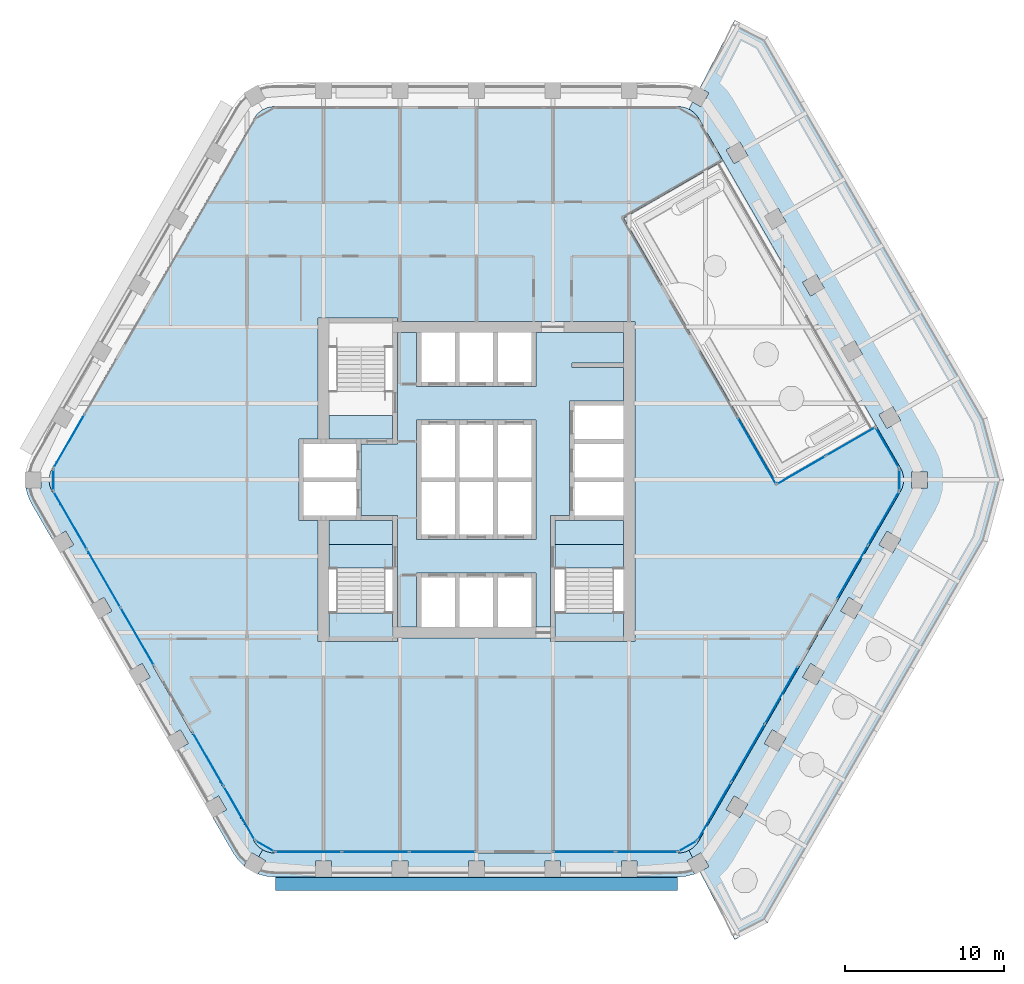
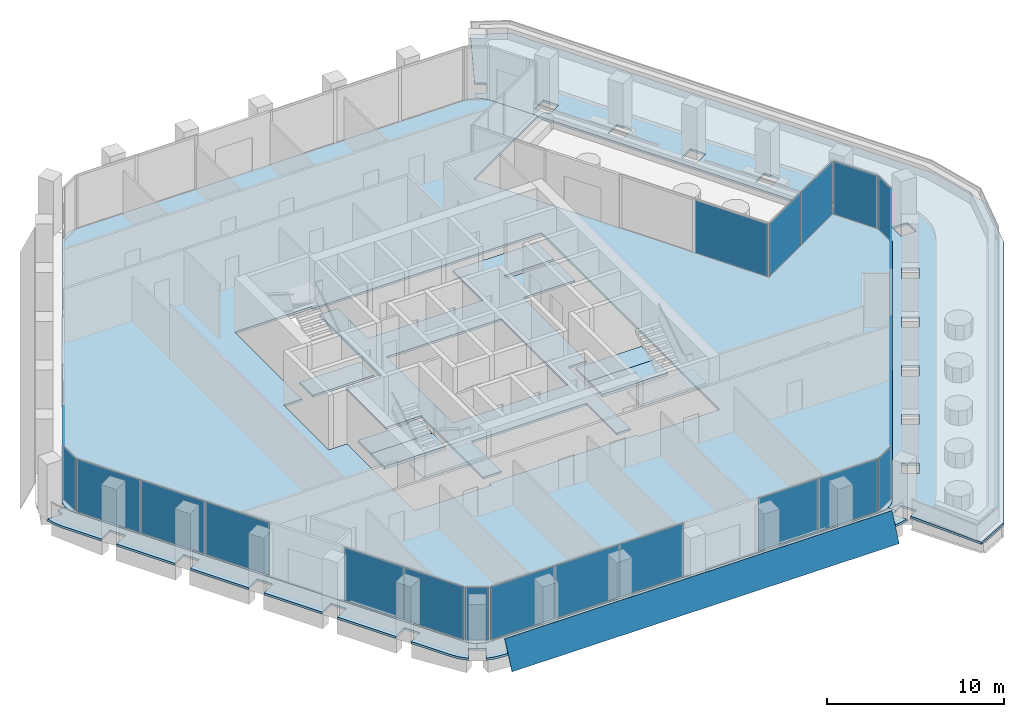
# One storey, part 8 of 17: 25 plates, 12 slabs, 16 elements without a shape of their own.
"""IFC4 building model written with IfcOpenShell, lengths in metres."""

from ifc_helpers import new_model, si_unit, direction, frame, origin, origin_2d, place, context, subcontext, project, spatial, polyline, rectangle, outline, extrude, material, layer, layer_set, type_object, element, aggregate, save


model = new_model("IFC4")

# Units and contexts
model_context = context("Model", 3, precision=1e-05, world=origin(), true_north=direction((0.0, 1.0)))
body_context = subcontext(model_context, "Body", "Model", "MODEL_VIEW")
ifc_project = project(units=[si_unit("LENGTHUNIT", "METRE"), si_unit("AREAUNIT", "SQUARE_METRE"), si_unit("VOLUMEUNIT", "CUBIC_METRE"), si_unit("PLANEANGLEUNIT", "RADIAN"), si_unit("MASSUNIT", "GRAM", prefix="KILO")], contexts=[model_context])

# Site, building, storey
site_placement = place(None, origin())
site = spatial("IfcSite", under=ifc_project, at=site_placement, CompositionType="ELEMENT")
building_placement = place(site_placement, origin())
building = spatial("IfcBuilding", under=site, at=building_placement, Name="Kolab Exchange Tower", CompositionType="ELEMENT")
storey_placement = place(building_placement, frame((0.0, 0.0, 181.699951171875)))
storey = spatial("IfcBuildingStorey", under=building, at=storey_placement, Name="L38", CompositionType="ELEMENT", Elevation=181.699951171875)

# Slabs
ifc_material_1 = material(Name="Concrete C35/45", Category="concrete")
ifc_layer_1 = layer(ifc_material_1, 0.14990234375)
ifc_layer_set_1 = layer_set([ifc_layer_1], Name="Concrete C35/45")
slab_type_1 = type_object("IfcSlabType", Name="FLOOR SLAB 150", PredefinedType="FLOOR", material=ifc_layer_set_1)
slab_1_placement = place(storey_placement, frame((0.0, 0.0, -0.14990234375)))
element("IfcSlab", 1, at=slab_1_placement, inside=storey, type_object=slab_type_1, Name="slab/L38/floor/0", PredefinedType="FLOOR", context=body_context, shape_type="SweptSolid", body=[
    extrude(outline(polyline([(26.635009765625, 0.75), (25.10107421875, 3.406982421875), (18.865478515625, -0.193115234375), (9.265625, 16.4345703125), (15.5009765625, 20.03466796875), (13.967041015625, 22.691650390625), (13.81689453125, 22.90576171875), (13.632080078125, 23.090576171875), (13.41796875, 23.240478515625), (13.180908203125, 23.35107421875), (12.928466796875, 23.418701171875), (12.66796875, 23.441650390625), (-12.66796875, 23.441650390625), (-12.928466796875, 23.418701171875), (-13.180908203125, 23.35107421875), (-13.41796875, 23.240478515625), (-13.632080078125, 23.090576171875), (-13.81689453125, 22.90576171875), (-13.967041015625, 22.691650390625), (-26.635009765625, 0.75), (-26.745361328125, 0.512939453125), (-26.81298828125, 0.260498046875), (-26.8359375, 0.0), (-26.81298828125, -0.260498046875), (-26.745361328125, -0.512939453125), (-26.635009765625, -0.75), (-13.967041015625, -22.691650390625), (-13.81689453125, -22.90576171875), (-13.632080078125, -23.090576171875), (-13.41796875, -23.240478515625), (-13.180908203125, -23.35107421875), (-12.928466796875, -23.418701171875), (-12.66796875, -23.441650390625), (12.66796875, -23.441650390625), (12.928466796875, -23.418701171875), (13.180908203125, -23.35107421875), (13.41796875, -23.240478515625), (13.632080078125, -23.090576171875), (13.81689453125, -22.90576171875), (13.967041015625, -22.691650390625), (26.635009765625, -0.75), (26.745361328125, -0.512939453125), (26.81298828125, -0.260498046875), (26.8359375, 0.0), (26.81298828125, 0.260498046875), (26.745361328125, 0.512939453125), (26.635009765625, 0.75)]), holes=[polyline([(-9.25, -10.14990234375), (-9.949951171875, -10.14990234375), (-9.949951171875, -2.550048828125), (-10.85009765625, -2.550048828125), (-11.14990234375, -2.550048828125), (-11.14990234375, 2.550048828125), (-10.85009765625, 2.550048828125), (-9.949951171875, 2.550048828125), (-9.949951171875, 10.14990234375), (-9.25, 10.14990234375), (-5.25, 10.14990234375), (-4.949951171875, 10.14990234375), (-4.949951171875, 9.949951171875), (9.25, 9.949951171875), (9.949951171875, 9.949951171875), (9.949951171875, -10.14990234375), (9.25, -10.14990234375), (4.949951171875, -10.14990234375), (4.64990234375, -10.14990234375), (4.64990234375, -9.949951171875), (-4.949951171875, -9.949951171875), (-4.949951171875, -10.14990234375), (-5.25, -10.14990234375), (-9.25, -10.14990234375)])]), origin(), (0.0, 0.0, 1.0), 0.14990234375),
])
slab_2_placement = place(storey_placement, frame((0.0, 0.0, -0.14990234375)))
element("IfcSlab", 2, at=slab_2_placement, inside=storey, type_object=slab_type_1, Name="slab/L38/floor/1", PredefinedType="FLOOR", context=body_context, shape_type="SweptSolid", body=[
    extrude(outline(polyline([(-4.949951171875, 9.25), (-4.949951171875, 2.25), (-5.25, 2.25), (-7.25, 2.25), (-7.25, -2.25), (-5.25, -2.25), (-4.949951171875, -2.25), (-4.949951171875, -9.25), (-3.75, -9.25), (-3.75, -5.85009765625), (-3.449951171875, -5.85009765625), (-1.35009765625, -5.85009765625), (-1.050048828125, -5.85009765625), (1.050048828125, -5.85009765625), (1.35009765625, -5.85009765625), (3.449951171875, -5.85009765625), (3.75, -5.85009765625), (3.75, -9.25), (4.64990234375, -9.25), (4.64990234375, -2.25), (4.949951171875, -2.25), (5.85009765625, -2.25), (5.85009765625, 4.949951171875), (6.14990234375, 4.949951171875), (9.25, 4.949951171875), (9.25, 7.050048828125), (6.0, 7.050048828125), (6.0, 7.35009765625), (9.25, 7.35009765625), (9.25, 9.25), (3.75, 9.25), (3.75, 5.85009765625), (3.449951171875, 5.85009765625), (1.35009765625, 5.85009765625), (1.050048828125, 5.85009765625), (-1.050048828125, 5.85009765625), (-1.35009765625, 5.85009765625), (-3.449951171875, 5.85009765625), (-3.75, 5.85009765625), (-3.75, 9.25), (-4.949951171875, 9.25)]), holes=[polyline([(-3.449951171875, -3.75), (-3.75, -3.75), (-3.75, 3.75), (-3.449951171875, 3.75), (-1.35009765625, 3.75), (-1.050048828125, 3.75), (1.050048828125, 3.75), (1.35009765625, 3.75), (3.449951171875, 3.75), (3.75, 3.75), (3.75, -3.75), (3.449951171875, -3.75), (1.35009765625, -3.75), (1.050048828125, -3.75), (-1.050048828125, -3.75), (-1.35009765625, -3.75), (-3.449951171875, -3.75)])]), origin(), (0.0, 0.0, 1.0), 0.14990234375),
])
slab_3_placement = place(storey_placement, frame((0.0, 0.0, -0.14990234375)))
element("IfcSlab", 3, at=slab_3_placement, inside=storey, type_object=slab_type_1, Name="slab/L38/floor/2", PredefinedType="FLOOR", context=body_context, shape_type="SweptSolid", body=[
    extrude(outline(polyline([(4.949951171875, -4.050048828125), (9.25, -4.050048828125), (9.25, -2.550048828125), (6.14990234375, -2.550048828125), (5.85009765625, -2.550048828125), (4.949951171875, -2.550048828125), (4.949951171875, -4.050048828125)])), origin(), (0.0, 0.0, 1.0), 0.14990234375),
])
slab_4_placement = place(storey_placement, frame((0.0, 0.0, -0.14990234375)))
element("IfcSlab", 4, at=slab_4_placement, inside=storey, type_object=slab_type_1, Name="slab/L38/floor/3", PredefinedType="FLOOR", context=body_context, shape_type="SweptSolid", body=[
    extrude(outline(polyline([(-7.550048828125, -2.550048828125), (-9.25, -2.550048828125), (-9.25, -4.050048828125), (-5.25, -4.050048828125), (-5.25, -2.550048828125), (-7.25, -2.550048828125), (-7.550048828125, -2.550048828125)])), origin(), (0.0, 0.0, 1.0), 0.14990234375),
])
slab_5_placement = place(storey_placement, frame((0.0, 0.0, -0.14990234375)))
element("IfcSlab", 5, at=slab_5_placement, inside=storey, type_object=slab_type_1, Name="slab/L38/floor/4", PredefinedType="FLOOR", context=body_context, shape_type="SweptSolid", body=[
    extrude(outline(polyline([(-9.25, 2.550048828125), (-7.550048828125, 2.550048828125), (-7.25, 2.550048828125), (-5.25, 2.550048828125), (-5.25, 4.050048828125), (-9.25, 4.050048828125), (-9.25, 2.550048828125)])), origin(), (0.0, 0.0, 1.0), 0.14990234375),
])
ifc_layer_2 = layer(ifc_material_1, 0.14990234375)
ifc_layer_set_2 = layer_set([ifc_layer_2], Name="Concrete C35/45")
slab_type_2 = type_object("IfcSlabType", Name="LOGGIA SLAB 150", PredefinedType="FLOOR", material=ifc_layer_set_2)
slab_6_placement = place(storey_placement, frame((0.0, 0.0, -0.14990234375)))
element("IfcSlab", 6, at=slab_6_placement, inside=storey, type_object=slab_type_2, Name="slab/L38/loggia/3-0", PredefinedType="FLOOR", context=body_context, shape_type="SweptSolid", body=[
    extrude(outline(polyline([(-13.180908203125, -23.35107421875), (-13.41796875, -23.240478515625), (-13.66796875, -23.673583984375), (-13.23486328125, -23.923583984375), (-13.713134765625, -24.751708984375), (-13.694091796875, -24.760498046875), (-13.18896484375, -24.89599609375), (-12.66796875, -24.941650390625), (-10.10009765625, -24.941650390625), (-10.10009765625, -23.941650390625), (-9.10009765625, -23.941650390625), (-9.10009765625, -24.941650390625), (-5.300048828125, -24.941650390625), (-5.300048828125, -23.941650390625), (-4.300048828125, -23.941650390625), (-4.300048828125, -24.941650390625), (-0.5, -24.941650390625), (-0.5, -23.941650390625), (0.5, -23.941650390625), (0.5, -24.941650390625), (4.300048828125, -24.941650390625), (4.300048828125, -23.941650390625), (5.300048828125, -23.941650390625), (5.300048828125, -24.941650390625), (9.10009765625, -24.941650390625), (9.10009765625, -23.941650390625), (10.10009765625, -23.941650390625), (10.10009765625, -24.941650390625), (12.66796875, -24.941650390625), (13.18896484375, -24.89599609375), (13.694091796875, -24.760498046875), (13.713134765625, -24.751708984375), (13.23486328125, -23.923583984375), (13.580322265625, -23.72412109375), (13.34912109375, -23.272705078125), (13.180908203125, -23.35107421875), (12.928466796875, -23.418701171875), (12.66796875, -23.441650390625), (-12.66796875, -23.441650390625), (-12.928466796875, -23.418701171875), (-13.180908203125, -23.35107421875)])), origin(), (0.0, 0.0, 1.0), 0.14990234375),
])
slab_7_placement = place(storey_placement, frame((0.0, 0.0, -0.14990234375)))
element("IfcSlab", 7, at=slab_7_placement, inside=storey, type_object=slab_type_2, Name="slab/L38/loggia/4-0", PredefinedType="FLOOR", context=body_context, shape_type="SweptSolid", body=[
    extrude(outline(polyline([(-26.81298828125, -0.260498046875), (-26.8359375, 0.0), (-27.3359375, 0.0), (-27.3359375, -0.5), (-28.292236328125, -0.5), (-28.290283203125, -0.52099609375), (-28.155029296875, -1.026123046875), (-27.93408203125, -1.5), (-26.64990234375, -3.723876953125), (-25.783935546875, -3.223876953125), (-25.283935546875, -4.08984375), (-26.14990234375, -4.58984375), (-24.25, -7.880859375), (-23.384033203125, -7.380859375), (-22.884033203125, -8.246826171875), (-23.75, -8.746826171875), (-21.85009765625, -12.037841796875), (-20.98388671875, -11.537841796875), (-20.48388671875, -12.40380859375), (-21.35009765625, -12.90380859375), (-19.449951171875, -16.194580078125), (-18.583984375, -15.694580078125), (-18.083984375, -16.560791015625), (-18.949951171875, -17.060791015625), (-17.050048828125, -20.3515625), (-16.18408203125, -19.8515625), (-15.68408203125, -20.717529296875), (-16.550048828125, -21.217529296875), (-15.26611328125, -23.441650390625), (-14.966064453125, -23.869873046875), (-14.59619140625, -24.23974609375), (-14.5791015625, -24.251708984375), (-14.10107421875, -23.423583984375), (-13.66796875, -23.673583984375), (-13.41796875, -23.240478515625), (-13.632080078125, -23.090576171875), (-13.81689453125, -22.90576171875), (-13.967041015625, -22.691650390625), (-26.635009765625, -0.75), (-26.745361328125, -0.512939453125), (-26.81298828125, -0.260498046875)])), origin(), (0.0, 0.0, 1.0), 0.14990234375),
])

# Plate
ifc_material_2 = material(Name="Laminated glass, clear", Category="glass")
ifc_layer_3 = layer(ifc_material_2, 0.0400390625)
ifc_layer_set_3 = layer_set([ifc_layer_3], Name="Laminated glass, clear")
plate_type_1 = type_object("IfcPlateType", Name="OUTER SKIN LAMINATED GLASS SHEET 40", PredefinedType="SHEET", material=ifc_layer_set_3)
plate_1_placement = place(storey_placement, frame((12.617919921875, -25.806640625, -0.68310546875), z_axis=(0.0, -0.906316657655, 0.422599238118), x_axis=(-1.0, 0.0, 0.0)))
element("IfcPlate", 8, at=plate_1_placement, inside=storey, type_object=plate_type_1, Name="Outer skin", PredefinedType="SHEET", context=body_context, shape_type="SweptSolid", body=[
    extrude(outline(polyline([(0.0, 0.0), (25.23583984375, 0.0), (25.23583984375, -1.961332030711248), (0.0, -1.961332030711248), (0.0, 0.0)])), origin(), (0.0, 0.0, -1.0), 0.0400390625),
])

# Stair, slabs
ifc_material_3 = material(Name="Concrete C50/60", Category="concrete")
stair_type_1 = type_object("IfcStairType", Name="STAIR ST3 RISER 177.3", PredefinedType="HALF_TURN_STAIR", material=ifc_material_3)
stair_1_placement = place(storey_placement, origin())
stair_1 = element("IfcStair", 9, at=stair_1_placement, inside=storey, type_object=stair_type_1, Name="Stair 3", PredefinedType="HALF_TURN_STAIR")
ifc_layer_4 = layer(ifc_material_3, 0.199951171875)
ifc_layer_set_4 = layer_set([ifc_layer_4], Name="Concrete C50/60")
slab_type_3 = type_object("IfcSlabType", Name="STAIR LANDING 200", PredefinedType="LANDING", material=ifc_layer_set_4)
slab_8_placement = place(storey_placement, frame((0.0, 0.0, -0.199951171875)))
slab_8 = element("IfcSlab", 10, at=slab_8_placement, type_object=slab_type_3, Name="ST3 landing 1", PredefinedType="LANDING", context=body_context, shape_type="SweptSolid", body=[
    extrude(outline(polyline([(-9.25, -5.550048828125), (-5.25, -5.550048828125), (-5.25, -4.050048828125), (-9.25, -4.050048828125), (-9.25, -5.550048828125)])), origin(), (0.0, 0.0, 1.0), 0.199951171875),
])
slab_9_placement = place(storey_placement, frame((0.0, 0.0, 1.75)))
slab_9 = element("IfcSlab", 11, at=slab_9_placement, type_object=slab_type_3, Name="ST3 landing 2", PredefinedType="LANDING", context=body_context, shape_type="SweptSolid", body=[
    extrude(outline(polyline([(-9.25, -9.909912109375), (-5.25, -9.909912109375), (-5.25, -8.35009765625), (-9.25, -8.35009765625), (-9.25, -9.909912109375)])), origin(), (0.0, 0.0, 1.0), 0.199951171875),
])
aggregate(stair_1, [slab_8, slab_9])

stair_type_2 = type_object("IfcStairType", Name="STAIR ST2 RISER 177.3", PredefinedType="HALF_TURN_STAIR", material=ifc_material_3)
stair_2_placement = place(storey_placement, origin())
stair_2 = element("IfcStair", 12, at=stair_2_placement, inside=storey, type_object=stair_type_2, Name="Stair 2", PredefinedType="HALF_TURN_STAIR")
slab_10_placement = place(storey_placement, frame((0.0, 0.0, -0.199951171875)))
slab_10 = element("IfcSlab", 13, at=slab_10_placement, type_object=slab_type_3, Name="ST2 landing 1", PredefinedType="LANDING", context=body_context, shape_type="SweptSolid", body=[
    extrude(outline(polyline([(4.949951171875, -5.550048828125), (9.25, -5.550048828125), (9.25, -4.050048828125), (4.949951171875, -4.050048828125), (4.949951171875, -5.550048828125)])), origin(), (0.0, 0.0, 1.0), 0.199951171875),
])
slab_11_placement = place(storey_placement, frame((0.0, 0.0, 1.75)))
slab_11 = element("IfcSlab", 14, at=slab_11_placement, type_object=slab_type_3, Name="ST2 landing 2", PredefinedType="LANDING", context=body_context, shape_type="SweptSolid", body=[
    extrude(outline(polyline([(4.949951171875, -9.909912109375), (9.25, -9.909912109375), (9.25, -8.35009765625), (4.949951171875, -8.35009765625), (4.949951171875, -9.909912109375)])), origin(), (0.0, 0.0, 1.0), 0.199951171875),
])
aggregate(stair_2, [slab_10, slab_11])

# Slab
ifc_layer_5 = layer(ifc_material_1, 0.14990234375)
ifc_layer_set_5 = layer_set([ifc_layer_5], Name="Concrete C35/45")
slab_type_4 = type_object("IfcSlabType", Name="TERRACE SLAB 150 PLANTED", PredefinedType="ROOF", material=ifc_layer_set_5)
slab_12_placement = place(storey_placement, frame((0.0, 0.0, -0.14990234375)))
element("IfcSlab", 15, at=slab_12_placement, inside=storey, type_object=slab_type_4, Name="Roof terrace", PredefinedType="ROOF", context=body_context, shape_type="SweptSolid", body=[
    extrude(outline(polyline([(13.35009765625, -23.272216796875), (13.581298828125, -23.7236328125), (14.10107421875, -23.423583984375), (14.60107421875, -24.28955078125), (14.0380859375, -24.61474609375), (16.22119140625, -28.87451171875), (16.221435546875, -28.87451171875), (18.28125, -27.81884765625), (18.281494140625, -27.81884765625), (32.0908203125, -3.900146484375), (32.0908203125, -3.89990234375), (33.135986328125, 0.0), (32.0908203125, 3.89990234375), (32.0908203125, 3.900146484375), (18.281494140625, 27.81884765625), (18.28125, 27.81884765625), (16.221435546875, 28.87451171875), (16.22119140625, 28.87451171875), (14.0380859375, 24.61474609375), (14.60107421875, 24.28955078125), (14.10107421875, 23.423583984375), (13.581298828125, 23.7236328125), (13.35009765625, 23.272216796875), (13.417724609375, 23.24072265625), (13.41796875, 23.240478515625), (13.418212890625, 23.240478515625), (13.632080078125, 23.0908203125), (13.632080078125, 23.090576171875), (13.63232421875, 23.090576171875), (13.81689453125, 22.90576171875), (13.817138671875, 22.905517578125), (13.967041015625, 22.691650390625), (13.967041015625, 22.69140625), (26.635009765625, 0.75), (26.745361328125, 0.51318359375), (26.745361328125, 0.512939453125), (26.81298828125, 0.2607421875), (26.81298828125, 0.260498046875), (26.813232421875, 0.26025390625), (26.8359375, 0.000244140625), (26.8359375, 0.0), (26.8359375, -0.000244140625), (26.813232421875, -0.26025390625), (26.81298828125, -0.260498046875), (26.81298828125, -0.2607421875), (26.745361328125, -0.512939453125), (26.745361328125, -0.51318359375), (26.635009765625, -0.75), (13.967041015625, -22.69140625), (13.967041015625, -22.691650390625), (13.817138671875, -22.905517578125), (13.81689453125, -22.90576171875), (13.63232421875, -23.090576171875), (13.632080078125, -23.090576171875), (13.632080078125, -23.0908203125), (13.418212890625, -23.240478515625), (13.41796875, -23.240478515625), (13.417724609375, -23.24072265625), (13.35009765625, -23.272216796875)]), holes=[polyline([(15.68408203125, -20.717529296875), (16.18408203125, -19.8515625), (17.050048828125, -20.3515625), (16.550048828125, -21.217529296875), (15.68408203125, -20.717529296875)]), polyline([(18.083984375, -16.560791015625), (18.583984375, -15.694580078125), (19.449951171875, -16.194580078125), (18.949951171875, -17.060791015625), (18.083984375, -16.560791015625)]), polyline([(20.48388671875, -12.40380859375), (20.98388671875, -11.537841796875), (21.85009765625, -12.037841796875), (21.35009765625, -12.90380859375), (20.48388671875, -12.40380859375)]), polyline([(23.75, -8.746826171875), (22.884033203125, -8.246826171875), (23.384033203125, -7.380859375), (24.25, -7.880859375), (23.75, -8.746826171875)]), polyline([(25.283935546875, -4.08984375), (25.783935546875, -3.223876953125), (26.64990234375, -3.723876953125), (26.14990234375, -4.58984375), (25.283935546875, -4.08984375)]), polyline([(27.3359375, -0.5), (27.3359375, 0.5), (28.3359375, 0.5), (28.3359375, -0.5), (27.3359375, -0.5)]), polyline([(25.283935546875, 4.08984375), (26.14990234375, 4.58984375), (26.64990234375, 3.723876953125), (25.783935546875, 3.223876953125), (25.283935546875, 4.08984375)]), polyline([(22.884033203125, 8.246826171875), (23.75, 8.746826171875), (24.25, 7.880859375), (23.384033203125, 7.380859375), (22.884033203125, 8.246826171875)]), polyline([(20.48388671875, 12.40380859375), (21.35009765625, 12.90380859375), (21.85009765625, 12.037841796875), (20.98388671875, 11.537841796875), (20.48388671875, 12.40380859375)]), polyline([(18.083984375, 16.560791015625), (18.949951171875, 17.060791015625), (19.449951171875, 16.194580078125), (18.583984375, 15.694580078125), (18.083984375, 16.560791015625)]), polyline([(15.68408203125, 20.717529296875), (16.550048828125, 21.217529296875), (17.050048828125, 20.3515625), (16.18408203125, 19.8515625), (15.68408203125, 20.717529296875)])]), origin(), (0.0, 0.0, 1.0), 0.14990234375),
])

# Curtain wall, plate
ifc_material_4 = material(Name="Aluminium EN AW-6063 T6", Category="aluminium")
curtain_wall_type = type_object("IfcCurtainWallType", Name="UNITISED UPPER MID ZONE CURTAIN WALL", PredefinedType="NOTDEFINED", material=ifc_material_4)
curtain_wall_1_placement = place(storey_placement, origin())
curtain_wall_1 = element("IfcCurtainWall", 16, at=curtain_wall_1_placement, inside=storey, type_object=curtain_wall_type, Name="cw/L38/F2-back-2", PredefinedType="NOTDEFINED")
ifc_material_5 = material(Name="Clear insulated glazing unit", Category="glass")
ifc_layer_6 = layer(ifc_material_5, 0.028076171875)
ifc_layer_set_6 = layer_set([ifc_layer_6], Name="Clear insulated glazing unit")
plate_type_2 = type_object("IfcPlateType", Name="UNITISED UPPER MID ZONE GLASS PANEL 28", PredefinedType="CURTAIN_PANEL", material=ifc_layer_set_6)
plate_2_placement = place(storey_placement, frame((17.618896484375, 1.806396484375, 0.06005859375), z_axis=(0.0, 0.0, 1.0), x_axis=(0.499999995919, -0.866025406141, 0.0)))
plate_2 = element("IfcPlate", 17, at=plate_2_placement, type_object=plate_type_2, Name="CW3 panel 2.1", PredefinedType="CURTAIN_PANEL", context=body_context, shape_type="SweptSolid", body=[
    extrude(rectangle(XDim=4.75, YDim=0.028076171875, at=origin_2d()), origin(), (0.0, 0.0, 1.0), 3.6298828125),
])
aggregate(curtain_wall_1, [plate_2])

# Curtain wall, plates
curtain_wall_2_placement = place(storey_placement, origin())
curtain_wall_2 = element("IfcCurtainWall", 18, at=curtain_wall_2_placement, inside=storey, type_object=curtain_wall_type, Name="cw/L38/F2-rr-1", PredefinedType="NOTDEFINED")
plate_3_placement = place(storey_placement, frame((20.408203125, 0.605224609375, 0.06005859375), z_axis=(0.0, 0.0, 1.0), x_axis=(0.866025407005, 0.499999994423, 0.0)))
plate_3 = element("IfcPlate", 19, at=plate_3_placement, type_object=plate_type_2, Name="CW3 panel 1.1", PredefinedType="CURTAIN_PANEL", context=body_context, shape_type="SweptSolid", body=[
    extrude(rectangle(XDim=3.510009765625, YDim=0.028076171875, at=origin_2d()), origin(), (0.0, 0.0, 1.0), 3.6298828125),
])
plate_4_placement = place(storey_placement, frame((23.499755859375, 2.39013671875, 0.06005859375), z_axis=(0.0, 0.0, 1.0), x_axis=(0.866025407005, 0.499999994423, 0.0)))
plate_4 = element("IfcPlate", 20, at=plate_4_placement, type_object=plate_type_2, Name="CW3 panel 2.1", PredefinedType="CURTAIN_PANEL", context=body_context, shape_type="SweptSolid", body=[
    extrude(rectangle(XDim=3.510009765625, YDim=0.028076171875, at=origin_2d()), origin(), (0.0, 0.0, 1.0), 3.6298828125),
])
aggregate(curtain_wall_2, [plate_3, plate_4])

# Curtain wall, plate
curtain_wall_3_placement = place(storey_placement, origin())
curtain_wall_3 = element("IfcCurtainWall", 21, at=curtain_wall_3_placement, inside=storey, type_object=curtain_wall_type, Name="cw/L38/F2-r-1", PredefinedType="NOTDEFINED")
plate_5_placement = place(storey_placement, frame((25.818603515625, 2.00390625, 0.06005859375), z_axis=(0.0, 0.0, 1.0), x_axis=(0.499999836698, -0.866025498067, 0.0)))
plate_5 = element("IfcPlate", 22, at=plate_5_placement, type_object=plate_type_2, Name="CW3 panel 1.1", PredefinedType="CURTAIN_PANEL", context=body_context, shape_type="SweptSolid", body=[
    extrude(rectangle(XDim=2.867919921875, YDim=0.028076171875, at=origin_2d()), origin(), (0.0, 0.0, 1.0), 3.6298828125),
])
aggregate(curtain_wall_3, [plate_5])

# Curtain wall, plates
curtain_wall_4_placement = place(storey_placement, origin())
curtain_wall_4 = element("IfcCurtainWall", 23, at=curtain_wall_4_placement, inside=storey, type_object=curtain_wall_type, Name="cw/L38/F3-1", PredefinedType="NOTDEFINED")
plate_6_placement = place(storey_placement, frame((25.57470703125, -2.426513671875, 0.06005859375), z_axis=(0.0, 0.0, 1.0), x_axis=(-0.499999936366, -0.866025440524, 0.0)))
plate_6 = element("IfcPlate", 24, at=plate_6_placement, type_object=plate_type_2, Name="CW3 panel 1.1", PredefinedType="CURTAIN_PANEL", context=body_context, shape_type="SweptSolid", body=[
    extrude(rectangle(XDim=3.843994140625, YDim=0.028076171875, at=origin_2d()), origin(), (0.0, 0.0, 1.0), 3.6298828125),
])
plate_7_placement = place(storey_placement, frame((23.62255859375, -5.807373046875, 0.06005859375), z_axis=(0.0, 0.0, 1.0), x_axis=(-0.499999936366, -0.866025440524, 0.0)))
plate_7 = element("IfcPlate", 25, at=plate_7_placement, type_object=plate_type_2, Name="CW3 panel 2.1", PredefinedType="CURTAIN_PANEL", context=body_context, shape_type="SweptSolid", body=[
    extrude(rectangle(XDim=3.843994140625, YDim=0.028076171875, at=origin_2d()), origin(), (0.0, 0.0, 1.0), 3.6298828125),
])
aggregate(curtain_wall_4, [plate_6, plate_7])

curtain_wall_5_placement = place(storey_placement, origin())
curtain_wall_5 = element("IfcCurtainWall", 26, at=curtain_wall_5_placement, inside=storey, type_object=curtain_wall_type, Name="cw/L38/F3-2", PredefinedType="NOTDEFINED")
plate_8_placement = place(storey_placement, frame((19.16845703125, -13.522216796875, 0.06005859375), z_axis=(0.0, 0.0, 1.0), x_axis=(-0.500000017564, -0.866025393644, 0.0)))
plate_8 = element("IfcPlate", 27, at=plate_8_placement, type_object=plate_type_2, Name="CW3 panel 1.1", PredefinedType="CURTAIN_PANEL", context=body_context, shape_type="SweptSolid", body=[
    extrude(rectangle(XDim=4.132568359375, YDim=0.028076171875, at=origin_2d()), origin(), (0.0, 0.0, 1.0), 3.6298828125),
])
plate_9_placement = place(storey_placement, frame((17.064697265625, -17.166259765625, 0.06005859375), z_axis=(0.0, 0.0, 1.0), x_axis=(-0.500000017564, -0.866025393644, 0.0)))
plate_9 = element("IfcPlate", 28, at=plate_9_placement, type_object=plate_type_2, Name="CW3 panel 2.1", PredefinedType="CURTAIN_PANEL", context=body_context, shape_type="SweptSolid", body=[
    extrude(rectangle(XDim=4.16259765625, YDim=0.028076171875, at=origin_2d()), origin(), (0.0, 0.0, 1.0), 3.6298828125),
])
plate_10_placement = place(storey_placement, frame((14.9609375, -20.81005859375, 0.06005859375), z_axis=(0.0, 0.0, 1.0), x_axis=(-0.500000017564, -0.866025393644, 0.0)))
plate_10 = element("IfcPlate", 29, at=plate_10_placement, type_object=plate_type_2, Name="CW3 panel 3.1", PredefinedType="CURTAIN_PANEL", context=body_context, shape_type="SweptSolid", body=[
    extrude(rectangle(XDim=4.132568359375, YDim=0.028076171875, at=origin_2d()), origin(), (0.0, 0.0, 1.0), 3.6298828125),
])
aggregate(curtain_wall_5, [plate_8, plate_9, plate_10])

curtain_wall_6_placement = place(storey_placement, origin())
curtain_wall_6 = element("IfcCurtainWall", 30, at=curtain_wall_6_placement, inside=storey, type_object=curtain_wall_type, Name="cw/L38/F4-1", PredefinedType="NOTDEFINED")
plate_11_placement = place(storey_placement, frame((10.68603515625, -23.361572265625, 0.06005859375), z_axis=(0.0, 0.0, 1.0), x_axis=(-1.0, 0.0, 0.0)))
plate_11 = element("IfcPlate", 31, at=plate_11_placement, type_object=plate_type_2, Name="CW3 panel 1.1", PredefinedType="CURTAIN_PANEL", context=body_context, shape_type="SweptSolid", body=[
    extrude(rectangle(XDim=3.843994140625, YDim=0.028076171875, at=origin_2d()), origin(), (0.0, 0.0, 1.0), 3.6298828125),
])
plate_12_placement = place(storey_placement, frame((6.781982421875, -23.361572265625, 0.06005859375), z_axis=(0.0, 0.0, 1.0), x_axis=(-1.0, 0.0, 0.0)))
plate_12 = element("IfcPlate", 32, at=plate_12_placement, type_object=plate_type_2, Name="CW3 panel 2.1", PredefinedType="CURTAIN_PANEL", context=body_context, shape_type="SweptSolid", body=[
    extrude(rectangle(XDim=3.843994140625, YDim=0.028076171875, at=origin_2d()), origin(), (0.0, 0.0, 1.0), 3.6298828125),
])
aggregate(curtain_wall_6, [plate_11, plate_12])

curtain_wall_7_placement = place(storey_placement, origin())
curtain_wall_7 = element("IfcCurtainWall", 33, at=curtain_wall_7_placement, inside=storey, type_object=curtain_wall_type, Name="cw/L38/F4-2", PredefinedType="NOTDEFINED")
plate_13_placement = place(storey_placement, frame((-2.126220703125, -23.361572265625, 0.06005859375), z_axis=(0.0, 0.0, 1.0), x_axis=(-1.0, 0.0, 0.0)))
plate_13 = element("IfcPlate", 34, at=plate_13_placement, type_object=plate_type_2, Name="CW3 panel 1.1", PredefinedType="CURTAIN_PANEL", context=body_context, shape_type="SweptSolid", body=[
    extrude(rectangle(XDim=4.132568359375, YDim=0.028076171875, at=origin_2d()), origin(), (0.0, 0.0, 1.0), 3.6298828125),
])
plate_14_placement = place(storey_placement, frame((-6.333984375, -23.361572265625, 0.06005859375), z_axis=(0.0, 0.0, 1.0), x_axis=(-1.0, 0.0, 0.0)))
plate_14 = element("IfcPlate", 35, at=plate_14_placement, type_object=plate_type_2, Name="CW3 panel 2.1", PredefinedType="CURTAIN_PANEL", context=body_context, shape_type="SweptSolid", body=[
    extrude(rectangle(XDim=4.16259765625, YDim=0.028076171875, at=origin_2d()), origin(), (0.0, 0.0, 1.0), 3.6298828125),
])
plate_15_placement = place(storey_placement, frame((-10.54150390625, -23.361572265625, 0.06005859375), z_axis=(0.0, 0.0, 1.0), x_axis=(-1.0, 0.0, 0.0)))
plate_15 = element("IfcPlate", 36, at=plate_15_placement, type_object=plate_type_2, Name="CW3 panel 3.1", PredefinedType="CURTAIN_PANEL", context=body_context, shape_type="SweptSolid", body=[
    extrude(rectangle(XDim=4.132568359375, YDim=0.028076171875, at=origin_2d()), origin(), (0.0, 0.0, 1.0), 3.6298828125),
])
aggregate(curtain_wall_7, [plate_13, plate_14, plate_15])

curtain_wall_8_placement = place(storey_placement, origin())
curtain_wall_8 = element("IfcCurtainWall", 37, at=curtain_wall_8_placement, inside=storey, type_object=curtain_wall_type, Name="cw/L38/F5-1", PredefinedType="NOTDEFINED")
plate_16_placement = place(storey_placement, frame((-14.888671875, -20.93505859375, 0.06005859375), z_axis=(0.0, 0.0, 1.0), x_axis=(-0.500000031681, 0.866025385493, 0.0)))
plate_16 = element("IfcPlate", 38, at=plate_16_placement, type_object=plate_type_2, Name="CW3 panel 1.1", PredefinedType="CURTAIN_PANEL", context=body_context, shape_type="SweptSolid", body=[
    extrude(rectangle(XDim=3.843994140625, YDim=0.028076171875, at=origin_2d()), origin(), (0.0, 0.0, 1.0), 3.6298828125),
])
plate_17_placement = place(storey_placement, frame((-16.840576171875, -17.55419921875, 0.06005859375), z_axis=(0.0, 0.0, 1.0), x_axis=(-0.500000031681, 0.866025385493, 0.0)))
plate_17 = element("IfcPlate", 39, at=plate_17_placement, type_object=plate_type_2, Name="CW3 panel 2.1", PredefinedType="CURTAIN_PANEL", context=body_context, shape_type="SweptSolid", body=[
    extrude(rectangle(XDim=3.843994140625, YDim=0.028076171875, at=origin_2d()), origin(), (0.0, 0.0, 1.0), 3.6298828125),
])
aggregate(curtain_wall_8, [plate_16, plate_17])

curtain_wall_9_placement = place(storey_placement, origin())
curtain_wall_9 = element("IfcCurtainWall", 40, at=curtain_wall_9_placement, inside=storey, type_object=curtain_wall_type, Name="cw/L38/F5-2", PredefinedType="NOTDEFINED")
plate_18_placement = place(storey_placement, frame((-21.294921875, -9.83935546875, 0.06005859375), z_axis=(0.0, 0.0, 1.0), x_axis=(-0.499999958358, 0.866025427826, 0.0)))
plate_18 = element("IfcPlate", 41, at=plate_18_placement, type_object=plate_type_2, Name="CW3 panel 1.1", PredefinedType="CURTAIN_PANEL", context=body_context, shape_type="SweptSolid", body=[
    extrude(rectangle(XDim=4.132568359375, YDim=0.028076171875, at=origin_2d()), origin(), (0.0, 0.0, 1.0), 3.6298828125),
])
plate_19_placement = place(storey_placement, frame((-23.398681640625, -6.1953125, 0.06005859375), z_axis=(0.0, 0.0, 1.0), x_axis=(-0.499999958358, 0.866025427826, 0.0)))
plate_19 = element("IfcPlate", 42, at=plate_19_placement, type_object=plate_type_2, Name="CW3 panel 2.1", PredefinedType="CURTAIN_PANEL", context=body_context, shape_type="SweptSolid", body=[
    extrude(rectangle(XDim=4.16259765625, YDim=0.028076171875, at=origin_2d()), origin(), (0.0, 0.0, 1.0), 3.6298828125),
])
plate_20_placement = place(storey_placement, frame((-25.50244140625, -2.551513671875, 0.06005859375), z_axis=(0.0, 0.0, 1.0), x_axis=(-0.499999958358, 0.866025427826, 0.0)))
plate_20 = element("IfcPlate", 43, at=plate_20_placement, type_object=plate_type_2, Name="CW3 panel 3.1", PredefinedType="CURTAIN_PANEL", context=body_context, shape_type="SweptSolid", body=[
    extrude(rectangle(XDim=4.132568359375, YDim=0.028076171875, at=origin_2d()), origin(), (0.0, 0.0, 1.0), 3.6298828125),
])
aggregate(curtain_wall_9, [plate_18, plate_19, plate_20])

# Curtain wall, plate
curtain_wall_10_placement = place(storey_placement, origin())
curtain_wall_10 = element("IfcCurtainWall", 44, at=curtain_wall_10_placement, inside=storey, type_object=curtain_wall_type, Name="cw/L38/F6-1", PredefinedType="NOTDEFINED")
plate_21_placement = place(storey_placement, frame((-25.57470703125, 2.426513671875, 0.06005859375), z_axis=(0.0, 0.0, 1.0), x_axis=(0.499999936366, 0.866025440524, 0.0)))
plate_21 = element("IfcPlate", 45, at=plate_21_placement, type_object=plate_type_2, Name="CW3 panel 1.1", PredefinedType="CURTAIN_PANEL", context=body_context, shape_type="SweptSolid", body=[
    extrude(rectangle(XDim=3.843994140625, YDim=0.028076171875, at=origin_2d()), origin(), (0.0, 0.0, 1.0), 3.6298828125),
])
aggregate(curtain_wall_10, [plate_21])

curtain_wall_11_placement = place(storey_placement, origin())
curtain_wall_11 = element("IfcCurtainWall", 46, at=curtain_wall_11_placement, inside=storey, type_object=curtain_wall_type, Name="cw/L38/F2F3-corner", PredefinedType="NOTDEFINED")
plate_22_placement = place(storey_placement, frame((26.565673828125, 0.0, 0.06005859375), z_axis=(0.0, 0.0, 1.0), x_axis=(0.0, -1.0, 0.0)))
plate_22 = element("IfcPlate", 47, at=plate_22_placement, type_object=plate_type_2, Name="CW3 panel 1.1", PredefinedType="CURTAIN_PANEL", context=body_context, shape_type="SweptSolid", body=[
    extrude(rectangle(XDim=1.300048828125, YDim=0.028076171875, at=origin_2d()), origin(), (0.0, 0.0, 1.0), 3.6298828125),
])
aggregate(curtain_wall_11, [plate_22])

curtain_wall_12_placement = place(storey_placement, origin())
curtain_wall_12 = element("IfcCurtainWall", 48, at=curtain_wall_12_placement, inside=storey, type_object=curtain_wall_type, Name="cw/L38/F3F4-corner", PredefinedType="NOTDEFINED")
plate_23_placement = place(storey_placement, frame((13.28271484375, -23.006591796875, 0.06005859375), z_axis=(0.0, 0.0, 1.0), x_axis=(-0.866025390869, -0.50000002237, 0.0)))
plate_23 = element("IfcPlate", 49, at=plate_23_placement, type_object=plate_type_2, Name="CW3 panel 1.1", PredefinedType="CURTAIN_PANEL", context=body_context, shape_type="SweptSolid", body=[
    extrude(rectangle(XDim=1.300048828125, YDim=0.028076171875, at=origin_2d()), origin(), (0.0, 0.0, 1.0), 3.6298828125),
])
aggregate(curtain_wall_12, [plate_23])

curtain_wall_13_placement = place(storey_placement, origin())
curtain_wall_13 = element("IfcCurtainWall", 50, at=curtain_wall_13_placement, inside=storey, type_object=curtain_wall_type, Name="cw/L38/F4F5-corner", PredefinedType="NOTDEFINED")
plate_24_placement = place(storey_placement, frame((-13.28271484375, -23.006591796875, 0.06005859375), z_axis=(0.0, 0.0, 1.0), x_axis=(-0.866025390869, 0.50000002237, 0.0)))
plate_24 = element("IfcPlate", 51, at=plate_24_placement, type_object=plate_type_2, Name="CW3 panel 1.1", PredefinedType="CURTAIN_PANEL", context=body_context, shape_type="SweptSolid", body=[
    extrude(rectangle(XDim=1.300048828125, YDim=0.028076171875, at=origin_2d()), origin(), (0.0, 0.0, 1.0), 3.6298828125),
])
aggregate(curtain_wall_13, [plate_24])

curtain_wall_14_placement = place(storey_placement, origin())
curtain_wall_14 = element("IfcCurtainWall", 52, at=curtain_wall_14_placement, inside=storey, type_object=curtain_wall_type, Name="cw/L38/F5F6-corner", PredefinedType="NOTDEFINED")
plate_25_placement = place(storey_placement, frame((-26.565673828125, 0.0, 0.06005859375), z_axis=(0.0, 0.0, 1.0), x_axis=(0.0, 1.0, 0.0)))
plate_25 = element("IfcPlate", 53, at=plate_25_placement, type_object=plate_type_2, Name="CW3 panel 1.1", PredefinedType="CURTAIN_PANEL", context=body_context, shape_type="SweptSolid", body=[
    extrude(rectangle(XDim=1.300048828125, YDim=0.028076171875, at=origin_2d()), origin(), (0.0, 0.0, 1.0), 3.6298828125),
])
aggregate(curtain_wall_14, [plate_25])

save(model, "model.ifc")
